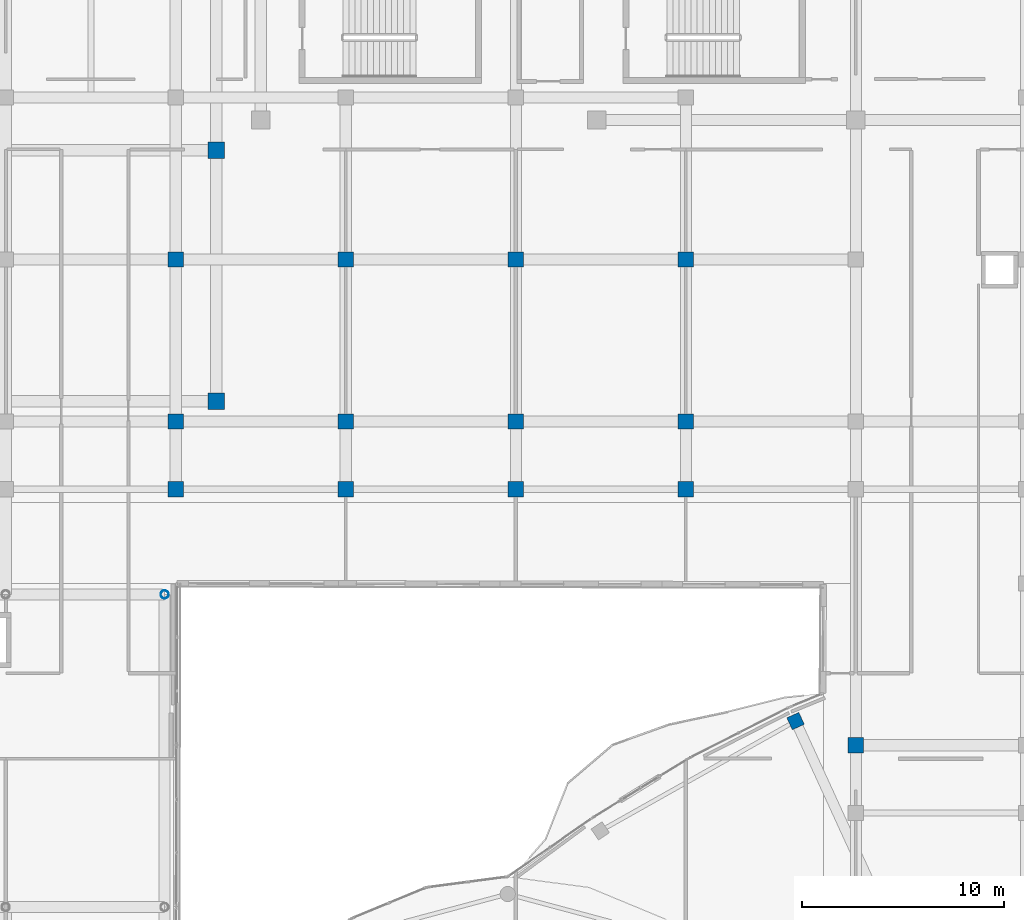
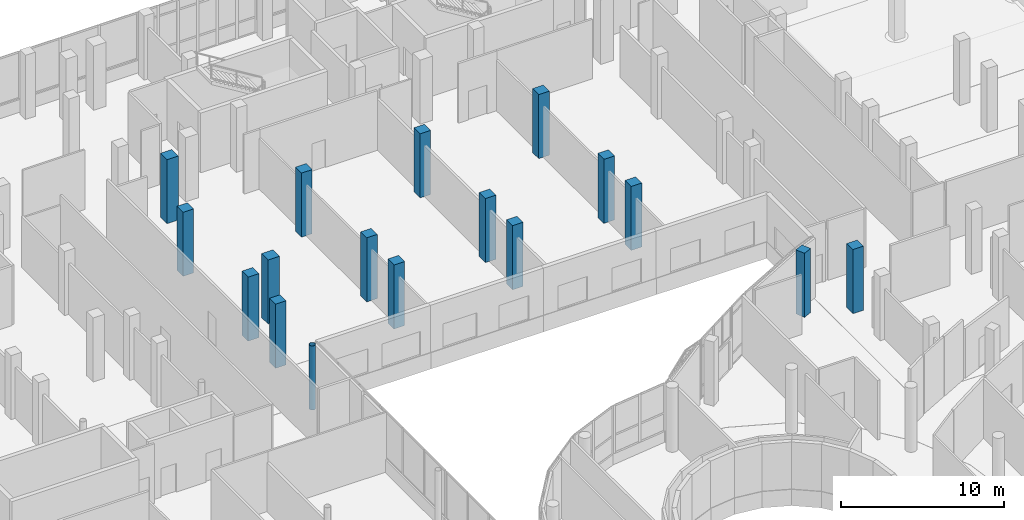
# One storey, part 10 of 155: 17 columns.
"""IFC4 building model written with IfcOpenShell, lengths in metres."""

from ifc_helpers import new_model, si_unit, direction, frame, origin, origin_2d, place, context, subcontext, project, spatial, rectangle, hollow_circle, extrude, material, material_profile, profile_set, type_object, element, save


model = new_model("IFC4")

# Units and contexts
model_context = context("Model", 3, precision=1e-05, world=origin(), true_north=direction((0.0, 1.0)))
body_context = subcontext(model_context, "Body", "Model", "MODEL_VIEW")
ifc_project = project(units=[si_unit("LENGTHUNIT", "METRE"), si_unit("AREAUNIT", "SQUARE_METRE"), si_unit("VOLUMEUNIT", "CUBIC_METRE"), si_unit("PLANEANGLEUNIT", "RADIAN"), si_unit("MASSUNIT", "GRAM", prefix="KILO")], contexts=[model_context])

# Site, building, storey
site_placement = place(None, origin())
site = spatial("IfcSite", under=ifc_project, at=site_placement, CompositionType="ELEMENT")
building_placement = place(site_placement, origin())
building = spatial("IfcBuilding", under=site, at=building_placement, Name="Selatvlak General Hospital", CompositionType="ELEMENT")
storey_placement = place(building_placement, frame((0.0, 0.0, 10.199951171875)))
storey = spatial("IfcBuildingStorey", under=building, at=storey_placement, Name="L02", CompositionType="ELEMENT", Elevation=10.199951171875)

# Columns
ifc_material_1 = material(Name="Steel S355", Category="steel")
ifc_material_profile_1 = material_profile(ifc_material_1, hollow_circle(Radius=0.203125, WallThickness=0.01611328125, at=origin_2d()), Name="CHS 406.4x16")
ifc_profile_set_1 = profile_set([ifc_material_profile_1], Name="Steel S355")
column_type_1 = type_object("IfcColumnType", Name="COL-CHS406", PredefinedType="COLUMN", material=ifc_profile_set_1)
column_1_placement = place(storey_placement, frame((81.050048828125, 83.449951171875, 0.0), z_axis=(0.0, 0.0, 1.0), x_axis=(1.0, 0.0, 0.0)))
element("IfcColumn", 1, at=column_1_placement, inside=storey, type_object=column_type_1, Name="Column 024 on L02", PredefinedType="COLUMN", context=body_context, shape_type="SweptSolid", body=[
    extrude(hollow_circle(Radius=0.203125, WallThickness=0.01611328125, at=origin_2d()), origin(), (0.0, 0.0, 1.0), 4.800048828125),
])
ifc_material_2 = material(Name="Concrete C40/50", Category="concrete")
ifc_material_profile_2 = material_profile(ifc_material_2, rectangle(XDim=0.64990234375, YDim=0.64990234375, at=origin_2d()), Name="RC-COL 650x650")
ifc_profile_set_2 = profile_set([ifc_material_profile_2], Name="Concrete C40/50")
column_type_2 = type_object("IfcColumnType", Name="COL-RC65", PredefinedType="COLUMN", material=ifc_profile_set_2)
column_2_placement = place(storey_placement, frame((112.221923828125, 77.195068359375, 0.0), z_axis=(0.0, 0.0, 1.0), x_axis=(-0.416201444857, 0.909272432937, 0.0)))
element("IfcColumn", 2, at=column_2_placement, inside=storey, type_object=column_type_2, Name="Column 342 on L02", PredefinedType="COLUMN", context=body_context, shape_type="SweptSolid", body=[
    extrude(rectangle(XDim=0.64990234375, YDim=0.64990234375, at=origin_2d()), origin(), (0.0, 0.0, 1.0), 4.800048828125),
])
ifc_material_3 = material(Name="Concrete C50/60", Category="concrete")
ifc_material_profile_3 = material_profile(ifc_material_3, rectangle(XDim=0.75, YDim=0.75, at=origin_2d()), Name="RC-COL 750x750")
ifc_profile_set_3 = profile_set([ifc_material_profile_3], Name="Concrete C50/60")
column_type_3 = type_object("IfcColumnType", Name="COL-RC75", PredefinedType="COLUMN", material=ifc_profile_set_3)
for number, where, z_axis, x_axis, name in (
    (3, (81.60009765625, 88.64990234375, 0.0), (0.0, 0.0, 1.0), (1.0, 0.0, 0.0), "Column 201 on L02"),
    (4, (81.60009765625, 92.0, 0.0), (0.0, 0.0, 1.0), (1.0, 0.0, 0.0), "Column 202 on L02"),
    (5, (81.60009765625, 100.0, 0.0), (0.0, 0.0, 1.0), (1.0, 0.0, 0.0), "Column 203 on L02"),
    (6, (90.0, 88.64990234375, 0.0), (0.0, 0.0, 1.0), (1.0, 0.0, 0.0), "Column 210 on L02"),
    (7, (90.0, 92.0, 0.0), (0.0, 0.0, 1.0), (1.0, 0.0, 0.0), "Column 211 on L02"),
    (8, (90.0, 100.0, 0.0), (0.0, 0.0, 1.0), (1.0, 0.0, 0.0), "Column 212 on L02"),
    (9, (98.39990234375, 88.64990234375, 0.0), (0.0, 0.0, 1.0), (1.0, 0.0, 0.0), "Column 218 on L02"),
    (10, (98.39990234375, 92.0, 0.0), (0.0, 0.0, 1.0), (1.0, 0.0, 0.0), "Column 219 on L02"),
    (11, (98.39990234375, 100.0, 0.0), (0.0, 0.0, 1.0), (1.0, 0.0, 0.0), "Column 220 on L02"),
    (12, (106.800048828125, 88.64990234375, 0.0), (0.0, 0.0, 1.0), (1.0, 0.0, 0.0), "Column 224 on L02"),
    (13, (106.800048828125, 92.0, 0.0), (0.0, 0.0, 1.0), (1.0, 0.0, 0.0), "Column 225 on L02"),
    (14, (106.800048828125, 100.0, 0.0), (0.0, 0.0, 1.0), (1.0, 0.0, 0.0), "Column 226 on L02"),
    (15, (115.199951171875, 76.0, 0.0), (0.0, 0.0, 1.0), (1.0, 0.0, 0.0), "Column 231 on L02"),
):
    element("IfcColumn", number, at=place(storey_placement, frame(where, z_axis=z_axis, x_axis=x_axis)), inside=storey, type_object=column_type_3, Name=name, PredefinedType="COLUMN", context=body_context, shape_type="SweptSolid", body=[
        extrude(rectangle(XDim=0.75, YDim=0.75, at=origin_2d()), origin(), (0.0, 0.0, 1.0), 4.800048828125),
    ])
ifc_material_profile_4 = material_profile(ifc_material_3, rectangle(XDim=0.800048828125, YDim=0.800048828125, at=origin_2d()), Name="RC-COL 800x800")
ifc_profile_set_4 = profile_set([ifc_material_profile_4], Name="Concrete C50/60")
column_type_4 = type_object("IfcColumnType", Name="COL-RC80", PredefinedType="COLUMN", material=ifc_profile_set_4)
for number, where, z_axis, x_axis, name in (
    (16, (83.60009765625, 93.0, 0.0), (0.0, 0.0, 1.0), (1.0, 0.0, 0.0), "Column 043 on L02"),
    (17, (83.60009765625, 105.39990234375, 0.0), (0.0, 0.0, 1.0), (1.0, 0.0, 0.0), "Column 044 on L02"),
):
    element("IfcColumn", number, at=place(storey_placement, frame(where, z_axis=z_axis, x_axis=x_axis)), inside=storey, type_object=column_type_4, Name=name, PredefinedType="COLUMN", context=body_context, shape_type="SweptSolid", body=[
        extrude(rectangle(XDim=0.800048828125, YDim=0.800048828125, at=origin_2d()), origin(), (0.0, 0.0, 1.0), 4.800048828125),
    ])

save(model, "model.ifc")
